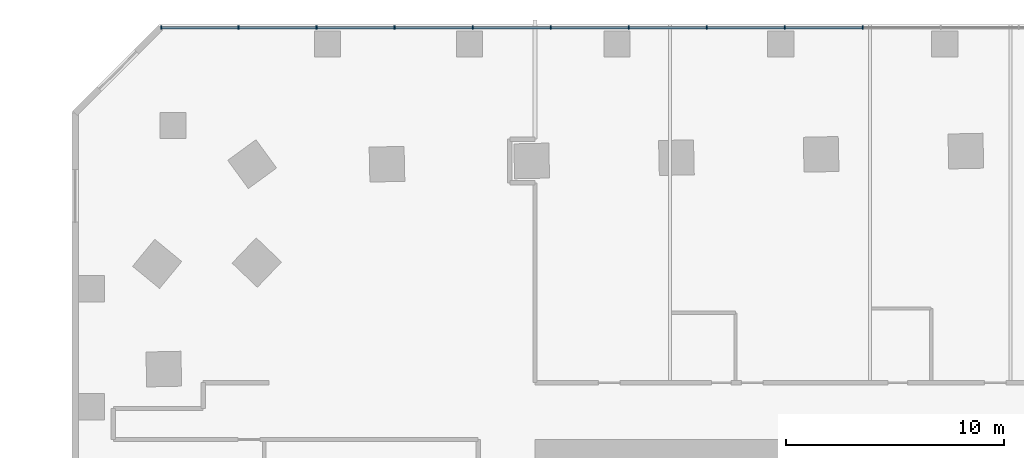
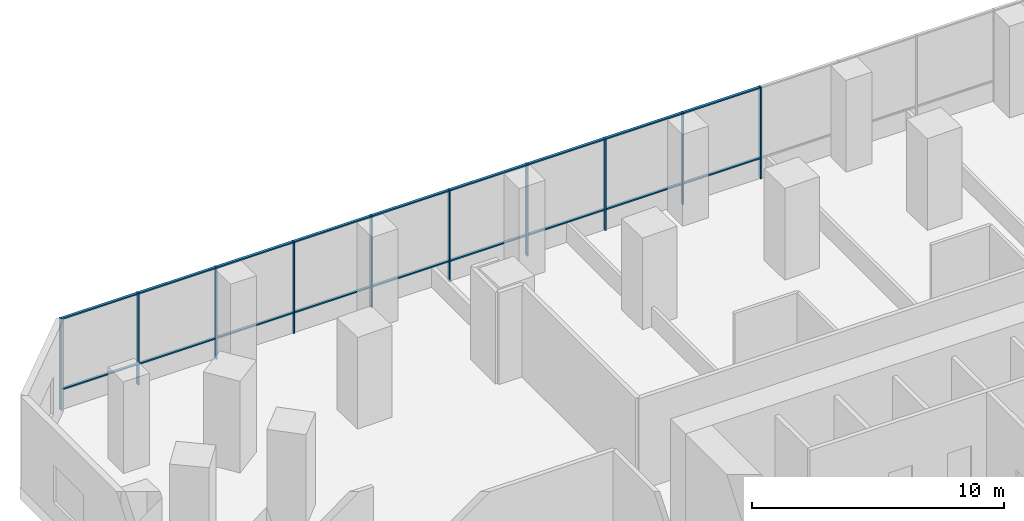
# One storey, part 2 of 11: 28 members, 1 element without a shape of its own.
"""IFC4 building model written with IfcOpenShell, lengths in metres."""

from ifc_helpers import new_model, si_unit, direction, frame, origin, origin_2d, place, context, subcontext, project, spatial, rectangle, extrude, material, material_profile, profile_set, type_object, element, aggregate, save


model = new_model("IFC4")

# Units and contexts
model_context = context("Model", 3, precision=1e-05, world=origin(), true_north=direction((0.0, 1.0)))
body_context = subcontext(model_context, "Body", "Model", "MODEL_VIEW")
ifc_project = project(units=[si_unit("LENGTHUNIT", "METRE"), si_unit("AREAUNIT", "SQUARE_METRE"), si_unit("VOLUMEUNIT", "CUBIC_METRE"), si_unit("PLANEANGLEUNIT", "RADIAN"), si_unit("MASSUNIT", "GRAM", prefix="KILO")], contexts=[model_context])

# Site, building, storey
site_placement = place(None, origin())
site = spatial("IfcSite", under=ifc_project, at=site_placement, CompositionType="ELEMENT")
building_placement = place(site_placement, origin())
building = spatial("IfcBuilding", under=site, at=building_placement, Name="Mangrove Gate Tower", CompositionType="ELEMENT")
storey_placement = place(building_placement, frame((0.0, 0.0, 6.0)))
storey = spatial("IfcBuildingStorey", under=building, at=storey_placement, Name="L01", CompositionType="ELEMENT", Elevation=6.0)

# Curtain wall, members
ifc_material_1 = material(Name="Aluminium and glass curtain wall", Category="aluminium")
curtain_wall_type = type_object("IfcCurtainWallType", Name="Podium amenity glazing wall", PredefinedType="NOTDEFINED", material=ifc_material_1)
curtain_wall_placement = place(storey_placement, origin())
curtain_wall = element("IfcCurtainWall", 1, at=curtain_wall_placement, inside=storey, type_object=curtain_wall_type, Name="Podium amenity glazing N12", PredefinedType="NOTDEFINED")
ifc_material_2 = material(Name="Aluminium alloy 6063-T6", Category="aluminium")
ifc_material_profile_1 = material_profile(ifc_material_2, rectangle(XDim=0.06005859375, YDim=0.159912109375, at=origin_2d()))
ifc_profile_set_1 = profile_set([ifc_material_profile_1], Name="Aluminium alloy 6063-T6")
member_type_1 = type_object("IfcMemberType", Name="Podium amenity glazing mullion 60x160", PredefinedType="MULLION", material=ifc_profile_set_1)
member_1_placement = place(storey_placement, frame((0.0, 30.85009765625, 0.0), z_axis=(0.0, 0.0, 1.0), x_axis=(-1.0, 0.0, 0.0)))
member_1 = element("IfcMember", 2, at=member_1_placement, type_object=member_type_1, Name="CWP mullion 10", PredefinedType="MULLION", context=body_context, shape_type="SweptSolid", body=[
    extrude(rectangle(XDim=0.06005859375, YDim=0.159912109375, at=origin_2d()), origin(), (0.0, 0.0, 1.0), 4.449951171875),
])
member_2_placement = place(storey_placement, frame((-3.57080078125, 30.85009765625, 0.0), z_axis=(0.0, 0.0, 1.0), x_axis=(-1.0, 0.0, 0.0)))
member_2 = element("IfcMember", 3, at=member_2_placement, type_object=member_type_1, Name="CWP mullion 11", PredefinedType="MULLION", context=body_context, shape_type="SweptSolid", body=[
    extrude(rectangle(XDim=0.06005859375, YDim=0.159912109375, at=origin_2d()), origin(), (0.0, 0.0, 1.0), 4.449951171875),
])
member_3_placement = place(storey_placement, frame((-7.141845703125, 30.85009765625, 0.0), z_axis=(0.0, 0.0, 1.0), x_axis=(-1.0, 0.0, 0.0)))
member_3 = element("IfcMember", 4, at=member_3_placement, type_object=member_type_1, Name="CWP mullion 12", PredefinedType="MULLION", context=body_context, shape_type="SweptSolid", body=[
    extrude(rectangle(XDim=0.06005859375, YDim=0.159912109375, at=origin_2d()), origin(), (0.0, 0.0, 1.0), 4.449951171875),
])
member_4_placement = place(storey_placement, frame((-10.712646484375, 30.85009765625, 0.0), z_axis=(0.0, 0.0, 1.0), x_axis=(-1.0, 0.0, 0.0)))
member_4 = element("IfcMember", 5, at=member_4_placement, type_object=member_type_1, Name="CWP mullion 13", PredefinedType="MULLION", context=body_context, shape_type="SweptSolid", body=[
    extrude(rectangle(XDim=0.06005859375, YDim=0.159912109375, at=origin_2d()), origin(), (0.0, 0.0, 1.0), 4.449951171875),
])
member_5_placement = place(storey_placement, frame((-14.283447265625, 30.85009765625, 0.0), z_axis=(0.0, 0.0, 1.0), x_axis=(-1.0, 0.0, 0.0)))
member_5 = element("IfcMember", 6, at=member_5_placement, type_object=member_type_1, Name="CWP mullion 14", PredefinedType="MULLION", context=body_context, shape_type="SweptSolid", body=[
    extrude(rectangle(XDim=0.06005859375, YDim=0.159912109375, at=origin_2d()), origin(), (0.0, 0.0, 1.0), 4.449951171875),
])
member_6_placement = place(storey_placement, frame((-17.8544921875, 30.85009765625, 0.0), z_axis=(0.0, 0.0, 1.0), x_axis=(-1.0, 0.0, 0.0)))
member_6 = element("IfcMember", 7, at=member_6_placement, type_object=member_type_1, Name="CWP mullion 15", PredefinedType="MULLION", context=body_context, shape_type="SweptSolid", body=[
    extrude(rectangle(XDim=0.06005859375, YDim=0.159912109375, at=origin_2d()), origin(), (0.0, 0.0, 1.0), 4.449951171875),
])
member_7_placement = place(storey_placement, frame((-21.42529296875, 30.85009765625, 0.0), z_axis=(0.0, 0.0, 1.0), x_axis=(-1.0, 0.0, 0.0)))
member_7 = element("IfcMember", 8, at=member_7_placement, type_object=member_type_1, Name="CWP mullion 16", PredefinedType="MULLION", context=body_context, shape_type="SweptSolid", body=[
    extrude(rectangle(XDim=0.06005859375, YDim=0.159912109375, at=origin_2d()), origin(), (0.0, 0.0, 1.0), 4.449951171875),
])
member_8_placement = place(storey_placement, frame((-24.99609375, 30.85009765625, 0.0), z_axis=(0.0, 0.0, 1.0), x_axis=(-1.0, 0.0, 0.0)))
member_8 = element("IfcMember", 9, at=member_8_placement, type_object=member_type_1, Name="CWP mullion 17", PredefinedType="MULLION", context=body_context, shape_type="SweptSolid", body=[
    extrude(rectangle(XDim=0.06005859375, YDim=0.159912109375, at=origin_2d()), origin(), (0.0, 0.0, 1.0), 4.449951171875),
])
member_9_placement = place(storey_placement, frame((-28.56689453125, 30.85009765625, 0.0), z_axis=(0.0, 0.0, 1.0), x_axis=(-1.0, 0.0, 0.0)))
member_9 = element("IfcMember", 10, at=member_9_placement, type_object=member_type_1, Name="CWP mullion 18", PredefinedType="MULLION", context=body_context, shape_type="SweptSolid", body=[
    extrude(rectangle(XDim=0.06005859375, YDim=0.159912109375, at=origin_2d()), origin(), (0.0, 0.0, 1.0), 4.449951171875),
])
member_10_placement = place(storey_placement, frame((-32.10791015625, 30.85009765625, 0.0), z_axis=(0.0, 0.0, 1.0), x_axis=(-1.0, 0.0, 0.0)))
member_10 = element("IfcMember", 11, at=member_10_placement, type_object=member_type_1, Name="CWP mullion 19", PredefinedType="MULLION", context=body_context, shape_type="SweptSolid", body=[
    extrude(rectangle(XDim=0.06005859375, YDim=0.159912109375, at=origin_2d()), origin(), (0.0, 0.0, 1.0), 4.449951171875),
])
ifc_material_3 = material(Name="Aluminium alloy 6063-T6", Category="aluminium")
ifc_material_profile_2 = material_profile(ifc_material_3, rectangle(XDim=0.06005859375, YDim=0.1201171875, at=origin_2d()))
ifc_profile_set_2 = profile_set([ifc_material_profile_2], Name="Aluminium alloy 6063-T6")
member_type_2 = type_object("IfcMemberType", Name="Podium amenity glazing transom 60x120", PredefinedType="USERDEFINED", material=ifc_profile_set_2)
member_11_placement = place(storey_placement, frame((-0.030029296875, 30.85009765625, 1.0), z_axis=(-1.0, 0.0, 0.0), x_axis=(0.0, 0.0, 1.0)))
member_11 = element("IfcMember", 12, at=member_11_placement, type_object=member_type_2, Name="CWP transom 10.2", ObjectType="TRANSOM", PredefinedType="USERDEFINED", context=body_context, shape_type="SweptSolid", body=[
    extrude(rectangle(XDim=0.06005859375, YDim=0.1201171875, at=origin_2d()), origin(), (0.0, 0.0, 1.0), 3.5107421875),
])
member_12_placement = place(storey_placement, frame((-0.030029296875, 30.85009765625, 4.419921875), z_axis=(-1.0, 0.0, 0.0), x_axis=(0.0, 0.0, 1.0)))
member_12 = element("IfcMember", 13, at=member_12_placement, type_object=member_type_2, Name="CWP transom 10.3", ObjectType="TRANSOM", PredefinedType="USERDEFINED", context=body_context, shape_type="SweptSolid", body=[
    extrude(rectangle(XDim=0.06005859375, YDim=0.1201171875, at=origin_2d()), origin(), (0.0, 0.0, 1.0), 3.5107421875),
])
member_13_placement = place(storey_placement, frame((-3.600830078125, 30.85009765625, 1.0), z_axis=(-1.0, 0.0, 0.0), x_axis=(0.0, 0.0, 1.0)))
member_13 = element("IfcMember", 14, at=member_13_placement, type_object=member_type_2, Name="CWP transom 11.2", ObjectType="TRANSOM", PredefinedType="USERDEFINED", context=body_context, shape_type="SweptSolid", body=[
    extrude(rectangle(XDim=0.06005859375, YDim=0.1201171875, at=origin_2d()), origin(), (0.0, 0.0, 1.0), 3.510986328125),
])
member_14_placement = place(storey_placement, frame((-3.600830078125, 30.85009765625, 4.419921875), z_axis=(-1.0, 0.0, 0.0), x_axis=(0.0, 0.0, 1.0)))
member_14 = element("IfcMember", 15, at=member_14_placement, type_object=member_type_2, Name="CWP transom 11.3", ObjectType="TRANSOM", PredefinedType="USERDEFINED", context=body_context, shape_type="SweptSolid", body=[
    extrude(rectangle(XDim=0.06005859375, YDim=0.1201171875, at=origin_2d()), origin(), (0.0, 0.0, 1.0), 3.510986328125),
])
member_15_placement = place(storey_placement, frame((-7.171630859375, 30.85009765625, 1.0), z_axis=(-1.0, 0.0, 0.0), x_axis=(0.0, 0.0, 1.0)))
member_15 = element("IfcMember", 16, at=member_15_placement, type_object=member_type_2, Name="CWP transom 12.2", ObjectType="TRANSOM", PredefinedType="USERDEFINED", context=body_context, shape_type="SweptSolid", body=[
    extrude(rectangle(XDim=0.06005859375, YDim=0.1201171875, at=origin_2d()), origin(), (0.0, 0.0, 1.0), 3.510986328125),
])
member_16_placement = place(storey_placement, frame((-7.171630859375, 30.85009765625, 4.419921875), z_axis=(-1.0, 0.0, 0.0), x_axis=(0.0, 0.0, 1.0)))
member_16 = element("IfcMember", 17, at=member_16_placement, type_object=member_type_2, Name="CWP transom 12.3", ObjectType="TRANSOM", PredefinedType="USERDEFINED", context=body_context, shape_type="SweptSolid", body=[
    extrude(rectangle(XDim=0.06005859375, YDim=0.1201171875, at=origin_2d()), origin(), (0.0, 0.0, 1.0), 3.510986328125),
])
member_17_placement = place(storey_placement, frame((-10.74267578125, 30.85009765625, 1.0), z_axis=(-1.0, 0.0, 0.0), x_axis=(0.0, 0.0, 1.0)))
member_17 = element("IfcMember", 18, at=member_17_placement, type_object=member_type_2, Name="CWP transom 13.2", ObjectType="TRANSOM", PredefinedType="USERDEFINED", context=body_context, shape_type="SweptSolid", body=[
    extrude(rectangle(XDim=0.06005859375, YDim=0.1201171875, at=origin_2d()), origin(), (0.0, 0.0, 1.0), 3.5107421875),
])
member_18_placement = place(storey_placement, frame((-10.74267578125, 30.85009765625, 4.419921875), z_axis=(-1.0, 0.0, 0.0), x_axis=(0.0, 0.0, 1.0)))
member_18 = element("IfcMember", 19, at=member_18_placement, type_object=member_type_2, Name="CWP transom 13.3", ObjectType="TRANSOM", PredefinedType="USERDEFINED", context=body_context, shape_type="SweptSolid", body=[
    extrude(rectangle(XDim=0.06005859375, YDim=0.1201171875, at=origin_2d()), origin(), (0.0, 0.0, 1.0), 3.5107421875),
])
member_19_placement = place(storey_placement, frame((-14.3134765625, 30.85009765625, 1.0), z_axis=(-1.0, 0.0, 0.0), x_axis=(0.0, 0.0, 1.0)))
member_19 = element("IfcMember", 20, at=member_19_placement, type_object=member_type_2, Name="CWP transom 14.2", ObjectType="TRANSOM", PredefinedType="USERDEFINED", context=body_context, shape_type="SweptSolid", body=[
    extrude(rectangle(XDim=0.06005859375, YDim=0.1201171875, at=origin_2d()), origin(), (0.0, 0.0, 1.0), 3.510986328125),
])
member_20_placement = place(storey_placement, frame((-14.3134765625, 30.85009765625, 4.419921875), z_axis=(-1.0, 0.0, 0.0), x_axis=(0.0, 0.0, 1.0)))
member_20 = element("IfcMember", 21, at=member_20_placement, type_object=member_type_2, Name="CWP transom 14.3", ObjectType="TRANSOM", PredefinedType="USERDEFINED", context=body_context, shape_type="SweptSolid", body=[
    extrude(rectangle(XDim=0.06005859375, YDim=0.1201171875, at=origin_2d()), origin(), (0.0, 0.0, 1.0), 3.510986328125),
])
member_21_placement = place(storey_placement, frame((-17.88427734375, 30.85009765625, 1.0), z_axis=(-1.0, 0.0, 0.0), x_axis=(0.0, 0.0, 1.0)))
member_21 = element("IfcMember", 22, at=member_21_placement, type_object=member_type_2, Name="CWP transom 15.2", ObjectType="TRANSOM", PredefinedType="USERDEFINED", context=body_context, shape_type="SweptSolid", body=[
    extrude(rectangle(XDim=0.06005859375, YDim=0.1201171875, at=origin_2d()), origin(), (0.0, 0.0, 1.0), 3.510986328125),
])
member_22_placement = place(storey_placement, frame((-17.88427734375, 30.85009765625, 4.419921875), z_axis=(-1.0, 0.0, 0.0), x_axis=(0.0, 0.0, 1.0)))
member_22 = element("IfcMember", 23, at=member_22_placement, type_object=member_type_2, Name="CWP transom 15.3", ObjectType="TRANSOM", PredefinedType="USERDEFINED", context=body_context, shape_type="SweptSolid", body=[
    extrude(rectangle(XDim=0.06005859375, YDim=0.1201171875, at=origin_2d()), origin(), (0.0, 0.0, 1.0), 3.510986328125),
])
member_23_placement = place(storey_placement, frame((-21.455322265625, 30.85009765625, 1.0), z_axis=(-1.0, 0.0, 0.0), x_axis=(0.0, 0.0, 1.0)))
member_23 = element("IfcMember", 24, at=member_23_placement, type_object=member_type_2, Name="CWP transom 16.2", ObjectType="TRANSOM", PredefinedType="USERDEFINED", context=body_context, shape_type="SweptSolid", body=[
    extrude(rectangle(XDim=0.06005859375, YDim=0.1201171875, at=origin_2d()), origin(), (0.0, 0.0, 1.0), 3.5107421875),
])
member_24_placement = place(storey_placement, frame((-21.455322265625, 30.85009765625, 4.419921875), z_axis=(-1.0, 0.0, 0.0), x_axis=(0.0, 0.0, 1.0)))
member_24 = element("IfcMember", 25, at=member_24_placement, type_object=member_type_2, Name="CWP transom 16.3", ObjectType="TRANSOM", PredefinedType="USERDEFINED", context=body_context, shape_type="SweptSolid", body=[
    extrude(rectangle(XDim=0.06005859375, YDim=0.1201171875, at=origin_2d()), origin(), (0.0, 0.0, 1.0), 3.5107421875),
])
member_25_placement = place(storey_placement, frame((-25.026123046875, 30.85009765625, 1.0), z_axis=(-1.0, 0.0, 0.0), x_axis=(0.0, 0.0, 1.0)))
member_25 = element("IfcMember", 26, at=member_25_placement, type_object=member_type_2, Name="CWP transom 17.2", ObjectType="TRANSOM", PredefinedType="USERDEFINED", context=body_context, shape_type="SweptSolid", body=[
    extrude(rectangle(XDim=0.06005859375, YDim=0.1201171875, at=origin_2d()), origin(), (0.0, 0.0, 1.0), 3.510986328125),
])
member_26_placement = place(storey_placement, frame((-25.026123046875, 30.85009765625, 4.419921875), z_axis=(-1.0, 0.0, 0.0), x_axis=(0.0, 0.0, 1.0)))
member_26 = element("IfcMember", 27, at=member_26_placement, type_object=member_type_2, Name="CWP transom 17.3", ObjectType="TRANSOM", PredefinedType="USERDEFINED", context=body_context, shape_type="SweptSolid", body=[
    extrude(rectangle(XDim=0.06005859375, YDim=0.1201171875, at=origin_2d()), origin(), (0.0, 0.0, 1.0), 3.510986328125),
])
member_27_placement = place(storey_placement, frame((-28.596923828125, 30.85009765625, 1.0), z_axis=(-1.0, 0.0, 0.0), x_axis=(0.0, 0.0, 1.0)))
member_27 = element("IfcMember", 28, at=member_27_placement, type_object=member_type_2, Name="CWP transom 18.2", ObjectType="TRANSOM", PredefinedType="USERDEFINED", context=body_context, shape_type="SweptSolid", body=[
    extrude(rectangle(XDim=0.06005859375, YDim=0.1201171875, at=origin_2d()), origin(), (0.0, 0.0, 1.0), 3.48095703125),
])
member_28_placement = place(storey_placement, frame((-28.596923828125, 30.85009765625, 4.419921875), z_axis=(-1.0, 0.0, 0.0), x_axis=(0.0, 0.0, 1.0)))
member_28 = element("IfcMember", 29, at=member_28_placement, type_object=member_type_2, Name="CWP transom 18.3", ObjectType="TRANSOM", PredefinedType="USERDEFINED", context=body_context, shape_type="SweptSolid", body=[
    extrude(rectangle(XDim=0.06005859375, YDim=0.1201171875, at=origin_2d()), origin(), (0.0, 0.0, 1.0), 3.48095703125),
])
aggregate(curtain_wall, [member_1, member_2, member_3, member_4, member_5, member_6, member_7, member_8, member_9, member_10, member_11, member_12, member_13, member_14, member_15, member_16, member_17, member_18, member_19, member_20, member_21, member_22, member_23, member_24, member_25, member_26, member_27, member_28])

save(model, "model.ifc")
